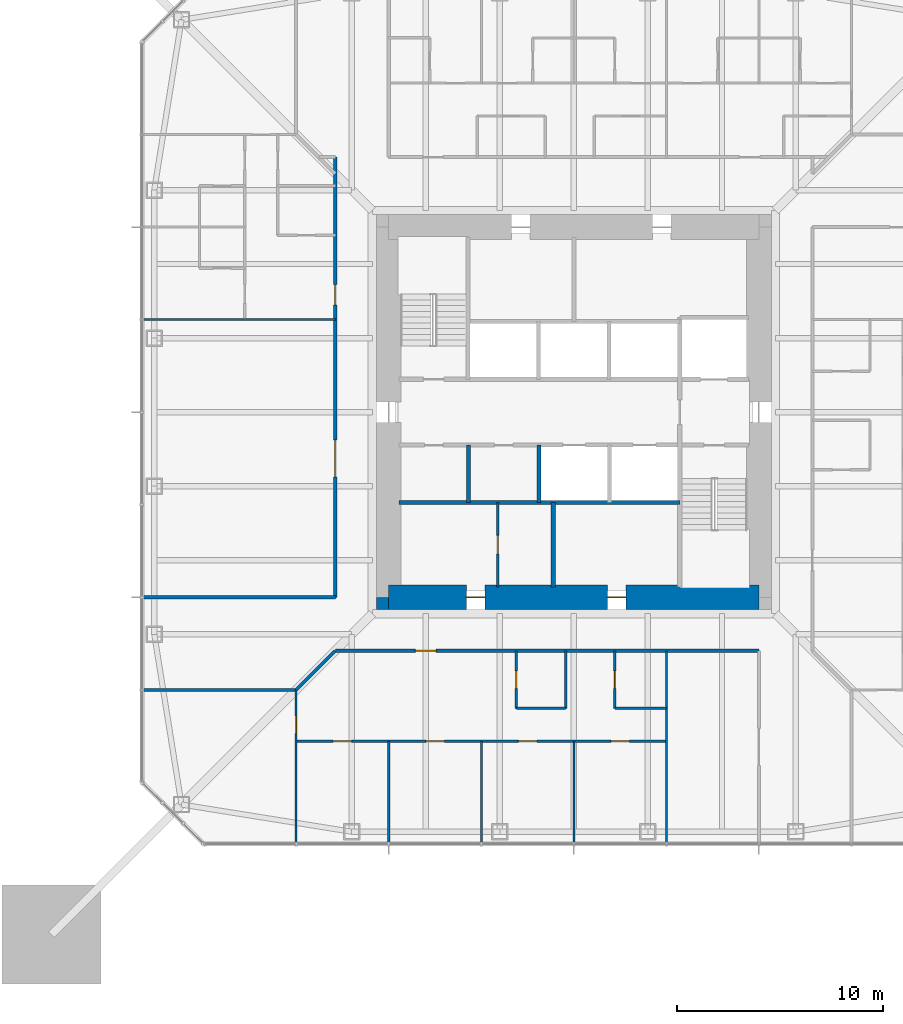
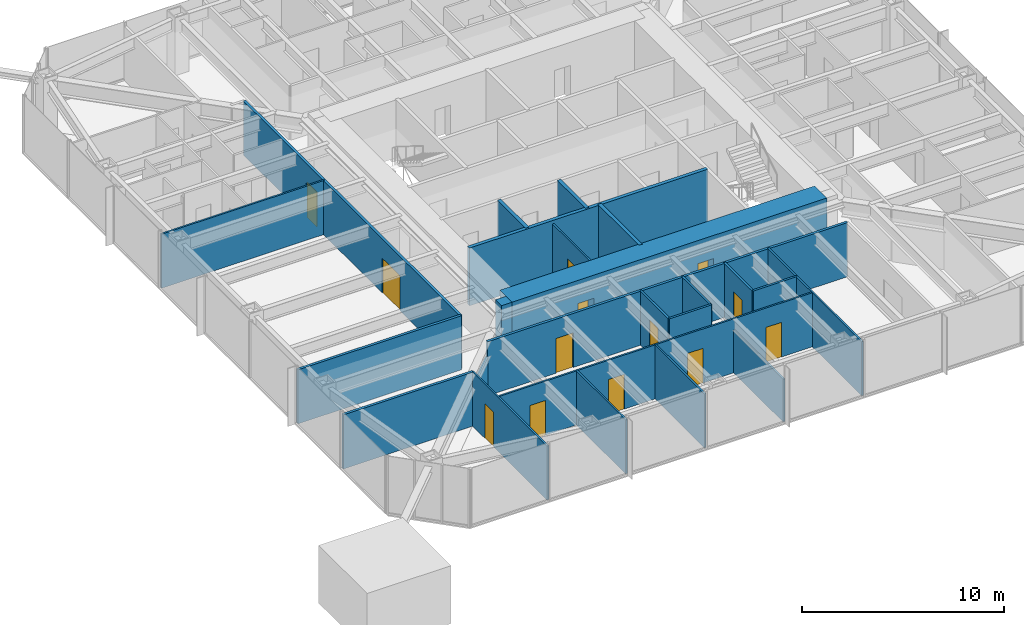
# One storey, part 11 of 23: 24 walls, 13 doors, 13 openings.
"""IFC4 building model written with IfcOpenShell, lengths in metres."""

from ifc_helpers import new_model, si_unit, direction, frame, frame_2d, origin, place, context, subcontext, project, spatial, rectangle, extrude, material, layer, layer_set, type_object, element, fill, save


model = new_model("IFC4")

# Units and contexts
model_context = context("Model", 3, precision=1e-05, world=origin(), true_north=direction((0.0, 1.0)))
body_context = subcontext(model_context, "Body", "Model", "MODEL_VIEW")
ifc_project = project(units=[si_unit("LENGTHUNIT", "METRE"), si_unit("AREAUNIT", "SQUARE_METRE"), si_unit("VOLUMEUNIT", "CUBIC_METRE"), si_unit("PLANEANGLEUNIT", "RADIAN"), si_unit("MASSUNIT", "GRAM", prefix="KILO")], contexts=[model_context])

# Site, building, storey
site_placement = place(None, origin())
site = spatial("IfcSite", under=ifc_project, at=site_placement, CompositionType="ELEMENT")
building_placement = place(site_placement, origin())
building = spatial("IfcBuilding", under=site, at=building_placement, Name="Iwan Alto Co-Living Towers", CompositionType="ELEMENT")
storey_placement = place(building_placement, frame((0.0, 0.0, 122.5)))
storey = spatial("IfcBuildingStorey", under=building, at=storey_placement, Name="L33", CompositionType="ELEMENT", Elevation=122.5)

# Wall
ifc_material_1 = material(Name="Gypsum board")
ifc_layer_1 = layer(ifc_material_1, 0.02490234375, Name="Board", Category="Finish")
ifc_material_2 = material(Name="Steel ASTM A1003 ST33H cold-formed studs", Category="steel")
ifc_layer_2 = layer(ifc_material_2, 0.10009765625, Name="Studs", Category="Framing")
ifc_layer_3 = layer(ifc_material_1, 0.02490234375, Name="Board", Category="Finish")
ifc_layer_set_1 = layer_set([ifc_layer_1, ifc_layer_2, ifc_layer_3], Name="CORRIDOR WALL 150")
wall_type_1 = type_object("IfcWallType", Name="CORRIDOR WALL 150", PredefinedType="PARTITIONING", material=ifc_layer_set_1)
wall_1_placement = place(storey_placement, frame((-20.93994140625, -13.5, 0.0), z_axis=(0.0, 0.0, 1.0), x_axis=(1.0, 0.0, 0.0)))
element("IfcWall", 1, at=wall_1_placement, inside=storey, type_object=wall_type_1, Name="Partition L33", PredefinedType="PARTITIONING", context=body_context, shape_type="SweptSolid", body=[
    extrude(rectangle(XDim=7.43994140625, YDim=0.14990234375, at=frame_2d((3.719970703125, 0.0))), origin(), (0.0, 0.0, 1.0), 3.27001953125),
])

# Wall, opening, door
wall_2_placement = place(storey_placement, frame((-11.60009765625, -11.60009765625, 0.0), z_axis=(0.0, 0.0, 1.0), x_axis=(1.0, 0.0, 0.0)))
wall_2 = element("IfcWall", 2, at=wall_2_placement, inside=storey, type_object=wall_type_1, Name="Partition L33", PredefinedType="PARTITIONING", context=body_context, shape_type="SweptSolid", body=[
    extrude(rectangle(XDim=20.60009765625, YDim=0.14990234375, at=frame_2d((10.300048828125, 0.0))), origin(), (0.0, 0.0, 1.0), 3.27001953125),
])
opening_1_placement = place(wall_2_placement, frame((3.89990234375, 0.0, 0.0)))
opening_1 = element("IfcOpeningElement", 3, at=opening_1_placement, cuts=wall_2, Name="Opening D3", PredefinedType="OPENING", context=body_context, shape_type="SweptSolid", body=[
    extrude(rectangle(XDim=1.0, YDim=2.10009765625, at=frame_2d((0.5, 1.050048828125))), frame((0.0, 0.0849609375, 0.0), z_axis=(0.0, -1.0, 0.0), x_axis=(1.0, 0.0, 0.0)), (0.0, 0.0, 1.0), 0.169921875),
])
ifc_material_3 = material(Name="Steel frame with timber leaf", Category="steel")
door_type_1 = type_object("IfcDoorType", Name="FLAT ENTRANCE DOOR FD30S 1000X2100", OperationType="SINGLE_SWING_LEFT", PredefinedType="DOOR", material=ifc_material_3)
door_1_placement = place(opening_1_placement, frame((1.0, 0.0, 0.0), z_axis=(0.0, 0.0, 1.0), x_axis=(-1.0, 0.0, 0.0)))
door_1 = element("IfcDoor", 4, at=door_1_placement, inside=storey, type_object=door_type_1, Name="Cluster lounge and shared kitchen door L33", OperationType="SINGLE_SWING_LEFT", OverallHeight=2.10009765625, OverallWidth=1.0, PredefinedType="DOOR", context=body_context, shape_type="SweptSolid", body=[
    extrude(rectangle(XDim=1.0, YDim=2.10009765625, at=frame_2d((0.5, 1.050048828125))), frame((0.0, 0.02490234375, 0.0), z_axis=(0.0, -1.0, 0.0), x_axis=(1.0, 0.0, 0.0)), (0.0, 0.0, 1.0), 0.050048828125),
])
fill(opening_1, door_1)

# Walls
wall_3_placement = place(storey_placement, frame((-20.93994140625, -9.0, 0.0), z_axis=(0.0, 0.0, 1.0), x_axis=(1.0, 0.0, 0.0)))
element("IfcWall", 5, at=wall_3_placement, inside=storey, type_object=wall_type_1, Name="Partition L33", PredefinedType="PARTITIONING", context=body_context, shape_type="SweptSolid", body=[
    extrude(rectangle(XDim=9.33984375, YDim=0.14990234375, at=frame_2d((4.669921875, 0.0))), origin(), (0.0, 0.0, 1.0), 3.27001953125),
])
wall_4_placement = place(storey_placement, frame((-13.5, -13.5, 0.0), z_axis=(0.0, 0.0, 1.0), x_axis=(0.707106781187, 0.707106781187, 0.0)))
element("IfcWall", 6, at=wall_4_placement, inside=storey, type_object=wall_type_1, Name="Partition L33", PredefinedType="PARTITIONING", context=body_context, shape_type="SweptSolid", body=[
    extrude(rectangle(XDim=2.686767578125, YDim=0.14990234375, at=frame_2d((1.34326171875, 0.0))), origin(), (0.0, 0.0, 1.0), 2.343017578125),
])

# Wall, openings, doors
wall_5_placement = place(storey_placement, frame((-11.60009765625, -9.0, 0.0), z_axis=(0.0, 0.0, 1.0), x_axis=(0.0, 1.0, 0.0)))
wall_5 = element("IfcWall", 7, at=wall_5_placement, inside=storey, type_object=wall_type_1, Name="Partition L33", PredefinedType="PARTITIONING", context=body_context, shape_type="SweptSolid", body=[
    extrude(rectangle(XDim=21.39990234375, YDim=0.14990234375, at=frame_2d((10.699951171875, 0.0))), origin(), (0.0, 0.0, 1.0), 3.27001953125),
])
opening_2_placement = place(wall_5_placement, frame((14.199951171875, 0.0, 0.0)))
opening_2 = element("IfcOpeningElement", 8, at=opening_2_placement, cuts=wall_5, Name="Opening D3", PredefinedType="OPENING", context=body_context, shape_type="SweptSolid", body=[
    extrude(rectangle(XDim=1.0, YDim=2.10009765625, at=frame_2d((0.5, 1.050048828125))), frame((0.0, 0.0849609375, 0.0), z_axis=(0.0, -1.0, 0.0), x_axis=(1.0, 0.0, 0.0)), (0.0, 0.0, 1.0), 0.169921875),
])
opening_3_placement = place(wall_5_placement, frame((5.85009765625, 0.0, 0.0)))
opening_3 = element("IfcOpeningElement", 9, at=opening_3_placement, cuts=wall_5, Name="Opening D9", PredefinedType="OPENING", context=body_context, shape_type="SweptSolid", body=[
    extrude(rectangle(XDim=1.800048828125, YDim=2.10009765625, at=frame_2d((0.89990234375, 1.050048828125))), frame((0.0, 0.0849609375, 0.0), z_axis=(0.0, -1.0, 0.0), x_axis=(1.0, 0.0, 0.0)), (0.0, 0.0, 1.0), 0.169921875),
])
door_2_placement = place(opening_2_placement, origin())
door_2 = element("IfcDoor", 10, at=door_2_placement, inside=storey, type_object=door_type_1, Name="Cluster lounge door L33", OperationType="SINGLE_SWING_LEFT", OverallHeight=2.10009765625, OverallWidth=1.0, PredefinedType="DOOR", context=body_context, shape_type="SweptSolid", body=[
    extrude(rectangle(XDim=1.0, YDim=2.10009765625, at=frame_2d((0.5, 1.050048828125))), frame((0.0, 0.02490234375, 0.0), z_axis=(0.0, -1.0, 0.0), x_axis=(1.0, 0.0, 0.0)), (0.0, 0.0, 1.0), 0.050048828125),
])
fill(opening_2, door_2)
ifc_material_4 = material(Name="Steel frame with timber leaf", Category="steel")
door_type_2 = type_object("IfcDoorType", Name="LOUNGE DOOR FD30S 1800X2100", OperationType="DOUBLE_DOOR_SINGLE_SWING", PredefinedType="DOOR", material=ifc_material_4)
door_3_placement = place(opening_3_placement, origin())
door_3 = element("IfcDoor", 11, at=door_3_placement, inside=storey, type_object=door_type_2, Name="Study commons door L33", OperationType="DOUBLE_DOOR_SINGLE_SWING", OverallHeight=2.10009765625, OverallWidth=1.800048828125, PredefinedType="DOOR", context=body_context, shape_type="SweptSolid", body=[
    extrude(rectangle(XDim=1.800048828125, YDim=2.10009765625, at=frame_2d((0.89990234375, 1.050048828125))), frame((0.0, 0.02490234375, 0.0), z_axis=(0.0, -1.0, 0.0), x_axis=(1.0, 0.0, 0.0)), (0.0, 0.0, 1.0), 0.050048828125),
])
fill(opening_3, door_3)

ifc_layer_4 = layer(ifc_material_1, 0.012451171875, Name="Board", Category="Finish")
ifc_layer_5 = layer(ifc_material_2, 0.074951171875, Name="Studs", Category="Framing")
ifc_layer_6 = layer(ifc_material_1, 0.012451171875, Name="Board", Category="Finish")
ifc_layer_set_2 = layer_set([ifc_layer_4, ifc_layer_5, ifc_layer_6], Name="PARTITION 100")
wall_type_2 = type_object("IfcWallType", Name="PARTITION 100", PredefinedType="PARTITIONING", material=ifc_layer_set_2)
wall_6_placement = place(storey_placement, frame((-13.5, -16.0, 0.0), z_axis=(0.0, 0.0, 1.0), x_axis=(1.0, 0.0, 0.0)))
wall_6 = element("IfcWall", 12, at=wall_6_placement, inside=storey, type_object=wall_type_2, Name="Partition L33", PredefinedType="PARTITIONING", context=body_context, shape_type="SweptSolid", body=[
    extrude(rectangle(XDim=18.0, YDim=0.10009765625, at=frame_2d((9.0, 0.0))), origin(), (0.0, 0.0, 1.0), 3.27001953125),
])
opening_4_placement = place(wall_6_placement, frame((1.800048828125, 0.0, 0.0)))
opening_4 = element("IfcOpeningElement", 13, at=opening_4_placement, cuts=wall_6, Name="Opening D1", PredefinedType="OPENING", context=body_context, shape_type="SweptSolid", body=[
    extrude(rectangle(XDim=0.89990234375, YDim=2.10009765625, at=frame_2d((0.449951171875, 1.050048828125))), frame((0.0, 0.06005859375, 0.0), z_axis=(0.0, -1.0, 0.0), x_axis=(1.0, 0.0, 0.0)), (0.0, 0.0, 1.0), 0.1201171875),
])
opening_5_placement = place(wall_6_placement, frame((6.300048828125, 0.0, 0.0)))
opening_5 = element("IfcOpeningElement", 14, at=opening_5_placement, cuts=wall_6, Name="Opening D1", PredefinedType="OPENING", context=body_context, shape_type="SweptSolid", body=[
    extrude(rectangle(XDim=0.89990234375, YDim=2.10009765625, at=frame_2d((0.449951171875, 1.050048828125))), frame((0.0, 0.06005859375, 0.0), z_axis=(0.0, -1.0, 0.0), x_axis=(1.0, 0.0, 0.0)), (0.0, 0.0, 1.0), 0.1201171875),
])
opening_6_placement = place(wall_6_placement, frame((10.800048828125, 0.0, 0.0)))
opening_6 = element("IfcOpeningElement", 15, at=opening_6_placement, cuts=wall_6, Name="Opening D1", PredefinedType="OPENING", context=body_context, shape_type="SweptSolid", body=[
    extrude(rectangle(XDim=0.89990234375, YDim=2.10009765625, at=frame_2d((0.449951171875, 1.050048828125))), frame((0.0, 0.06005859375, 0.0), z_axis=(0.0, -1.0, 0.0), x_axis=(1.0, 0.0, 0.0)), (0.0, 0.0, 1.0), 0.1201171875),
])
opening_7_placement = place(wall_6_placement, frame((15.300048828125, 0.0, 0.0)))
opening_7 = element("IfcOpeningElement", 16, at=opening_7_placement, cuts=wall_6, Name="Opening D1", PredefinedType="OPENING", context=body_context, shape_type="SweptSolid", body=[
    extrude(rectangle(XDim=0.89990234375, YDim=2.10009765625, at=frame_2d((0.449951171875, 1.050048828125))), frame((0.0, 0.06005859375, 0.0), z_axis=(0.0, -1.0, 0.0), x_axis=(1.0, 0.0, 0.0)), (0.0, 0.0, 1.0), 0.1201171875),
])
ifc_material_5 = material(Name="Timber leaf in steel frame", Category="steel")
door_type_3 = type_object("IfcDoorType", Name="BEDROOM DOOR 900X2100", OperationType="SINGLE_SWING_LEFT", PredefinedType="DOOR", material=ifc_material_5)
door_4_placement = place(opening_4_placement, origin())
door_4 = element("IfcDoor", 17, at=door_4_placement, inside=storey, type_object=door_type_3, Name="Study bedroom door L33", OperationType="SINGLE_SWING_LEFT", OverallHeight=2.10009765625, OverallWidth=0.89990234375, PredefinedType="DOOR", context=body_context, shape_type="SweptSolid", body=[
    extrude(rectangle(XDim=0.89990234375, YDim=2.10009765625, at=frame_2d((0.449951171875, 1.050048828125))), frame((0.0, 0.02490234375, 0.0), z_axis=(0.0, -1.0, 0.0), x_axis=(1.0, 0.0, 0.0)), (0.0, 0.0, 1.0), 0.050048828125),
])
fill(opening_4, door_4)
door_5_placement = place(opening_5_placement, origin())
door_5 = element("IfcDoor", 18, at=door_5_placement, inside=storey, type_object=door_type_3, Name="Study bedroom door L33", OperationType="SINGLE_SWING_LEFT", OverallHeight=2.10009765625, OverallWidth=0.89990234375, PredefinedType="DOOR", context=body_context, shape_type="SweptSolid", body=[
    extrude(rectangle(XDim=0.89990234375, YDim=2.10009765625, at=frame_2d((0.449951171875, 1.050048828125))), frame((0.0, 0.02490234375, 0.0), z_axis=(0.0, -1.0, 0.0), x_axis=(1.0, 0.0, 0.0)), (0.0, 0.0, 1.0), 0.050048828125),
])
fill(opening_5, door_5)
door_6_placement = place(opening_6_placement, origin())
door_6 = element("IfcDoor", 19, at=door_6_placement, inside=storey, type_object=door_type_3, Name="Study bedroom door L33", OperationType="SINGLE_SWING_RIGHT", OverallHeight=2.10009765625, OverallWidth=0.89990234375, PredefinedType="DOOR", context=body_context, shape_type="SweptSolid", body=[
    extrude(rectangle(XDim=0.89990234375, YDim=2.10009765625, at=frame_2d((0.449951171875, 1.050048828125))), frame((0.0, 0.02490234375, 0.0), z_axis=(0.0, -1.0, 0.0), x_axis=(1.0, 0.0, 0.0)), (0.0, 0.0, 1.0), 0.050048828125),
])
fill(opening_6, door_6)
door_7_placement = place(opening_7_placement, origin())
door_7 = element("IfcDoor", 20, at=door_7_placement, inside=storey, type_object=door_type_3, Name="Study bedroom door L33", OperationType="SINGLE_SWING_RIGHT", OverallHeight=2.10009765625, OverallWidth=0.89990234375, PredefinedType="DOOR", context=body_context, shape_type="SweptSolid", body=[
    extrude(rectangle(XDim=0.89990234375, YDim=2.10009765625, at=frame_2d((0.449951171875, 1.050048828125))), frame((0.0, 0.02490234375, 0.0), z_axis=(0.0, -1.0, 0.0), x_axis=(1.0, 0.0, 0.0)), (0.0, 0.0, 1.0), 0.050048828125),
])
fill(opening_7, door_7)

# Walls
for number, where, z_axis, x_axis, name in (
    (21, (-20.93994140625, 4.5, 0.0), (0.0, 0.0, 1.0), (1.0, 0.0, 0.0), "Partition L33"),
    (22, (4.5, -20.93994140625, 0.0), (0.0, 0.0, 1.0), (0.0, 1.0, 0.0), "Partition L33"),
):
    element("IfcWall", number, at=place(storey_placement, frame(where, z_axis=z_axis, x_axis=x_axis)), inside=storey, type_object=wall_type_2, Name=name, PredefinedType="PARTITIONING", context=body_context, shape_type="SweptSolid", body=[
        extrude(rectangle(XDim=9.33984375, YDim=0.10009765625, at=frame_2d((4.669921875, 0.0))), origin(), (0.0, 0.0, 1.0), 3.27001953125),
    ])
wall_7_placement = place(storey_placement, frame((0.0, -20.93994140625, 0.0), z_axis=(0.0, 0.0, 1.0), x_axis=(0.0, 1.0, 0.0)))
element("IfcWall", 23, at=wall_7_placement, inside=storey, type_object=wall_type_2, Name="Partition L33", PredefinedType="PARTITIONING", context=body_context, shape_type="SweptSolid", body=[
    extrude(rectangle(XDim=4.93994140625, YDim=0.10009765625, at=frame_2d((2.469970703125, 0.0))), origin(), (0.0, 0.0, 1.0), 2.586669921875),
])

# Wall, opening, door
wall_8_placement = place(storey_placement, frame((-3.699951171875, -8.489990234375, 0.0), z_axis=(0.0, 0.0, 1.0), x_axis=(0.0, 1.0, 0.0)))
wall_8 = element("IfcWall", 24, at=wall_8_placement, inside=storey, type_object=wall_type_2, Name="Partition L33", PredefinedType="PARTITIONING", context=body_context, shape_type="SweptSolid", body=[
    extrude(rectangle(XDim=4.090087890625, YDim=0.10009765625, at=frame_2d((2.044921875, 0.0))), origin(), (0.0, 0.0, 1.0), 3.300048828125),
])
opening_8_placement = place(wall_8_placement, frame((1.594970703125, 0.0, 0.0)))
opening_8 = element("IfcOpeningElement", 25, at=opening_8_placement, cuts=wall_8, Name="Opening D16", PredefinedType="OPENING", context=body_context, shape_type="SweptSolid", body=[
    extrude(rectangle(XDim=0.89990234375, YDim=2.10009765625, at=frame_2d((0.449951171875, 1.050048828125))), frame((0.0, 0.06005859375, 0.0), z_axis=(0.0, -1.0, 0.0), x_axis=(1.0, 0.0, 0.0)), (0.0, 0.0, 1.0), 0.1201171875),
])
ifc_material_6 = material(Name="Timber leaf in steel frame", Category="steel")
door_type_4 = type_object("IfcDoorType", Name="CUPBOARD SLIDING DOOR 900X2100", OperationType="SLIDING_TO_LEFT", PredefinedType="DOOR", material=ifc_material_6)
door_8_placement = place(opening_8_placement, origin())
door_8 = element("IfcDoor", 26, at=door_8_placement, inside=storey, type_object=door_type_4, Name="Bin store door L33", OperationType="SLIDING_TO_LEFT", OverallHeight=2.10009765625, OverallWidth=0.89990234375, PredefinedType="DOOR", context=body_context, shape_type="SweptSolid", body=[
    extrude(rectangle(XDim=0.89990234375, YDim=2.10009765625, at=frame_2d((0.449951171875, 1.050048828125))), frame((0.0, 0.02490234375, 0.0), z_axis=(0.0, -1.0, 0.0), x_axis=(1.0, 0.0, 0.0)), (0.0, 0.0, 1.0), 0.050048828125),
])
fill(opening_8, door_8)

# Walls
for number, where, z_axis, x_axis, name in (
    (27, (-4.5, -20.93994140625, 0.0), (0.0, 0.0, 1.0), (0.0, 1.0, 0.0), "Partition L33"),
    (28, (-9.0, -20.93994140625, 0.0), (0.0, 0.0, 1.0), (0.0, 1.0, 0.0), "Partition L33"),
):
    element("IfcWall", number, at=place(storey_placement, frame(where, z_axis=z_axis, x_axis=x_axis)), inside=storey, type_object=wall_type_2, Name=name, PredefinedType="PARTITIONING", context=body_context, shape_type="SweptSolid", body=[
        extrude(rectangle(XDim=4.93994140625, YDim=0.10009765625, at=frame_2d((2.469970703125, 0.0))), origin(), (0.0, 0.0, 1.0), 3.27001953125),
    ])

# Wall, opening, door
wall_9_placement = place(storey_placement, frame((-13.5, -20.93994140625, 0.0), z_axis=(0.0, 0.0, 1.0), x_axis=(0.0, 1.0, 0.0)))
wall_9 = element("IfcWall", 29, at=wall_9_placement, inside=storey, type_object=wall_type_2, Name="Partition L33", PredefinedType="PARTITIONING", context=body_context, shape_type="SweptSolid", body=[
    extrude(rectangle(XDim=7.43994140625, YDim=0.10009765625, at=frame_2d((3.719970703125, 0.0))), origin(), (0.0, 0.0, 1.0), 3.27001953125),
])
opening_9_placement = place(wall_9_placement, frame((5.31494140625, 0.0, 0.0)))
opening_9 = element("IfcOpeningElement", 30, at=opening_9_placement, cuts=wall_9, Name="Opening D2", PredefinedType="OPENING", context=body_context, shape_type="SweptSolid", body=[
    extrude(rectangle(XDim=0.85009765625, YDim=2.10009765625, at=frame_2d((0.425048828125, 1.050048828125))), frame((0.0, 0.06005859375, 0.0), z_axis=(0.0, -1.0, 0.0), x_axis=(1.0, 0.0, 0.0)), (0.0, 0.0, 1.0), 0.1201171875),
])
ifc_material_7 = material(Name="Timber leaf in steel frame", Category="steel")
door_type_5 = type_object("IfcDoorType", Name="ROOM DOOR 850X2100", OperationType="SINGLE_SWING_LEFT", PredefinedType="DOOR", material=ifc_material_7)
door_9_placement = place(opening_9_placement, frame((0.85009765625, 0.0, 0.0), z_axis=(0.0, 0.0, 1.0), x_axis=(-1.0, 0.0, 0.0)))
door_9 = element("IfcDoor", 31, at=door_9_placement, inside=storey, type_object=door_type_5, Name="Study lounge door L33", OperationType="SINGLE_SWING_RIGHT", OverallHeight=2.10009765625, OverallWidth=0.85009765625, PredefinedType="DOOR", context=body_context, shape_type="SweptSolid", body=[
    extrude(rectangle(XDim=0.85009765625, YDim=2.10009765625, at=frame_2d((0.425048828125, 1.050048828125))), frame((0.0, 0.02490234375, 0.0), z_axis=(0.0, -1.0, 0.0), x_axis=(1.0, 0.0, 0.0)), (0.0, 0.0, 1.0), 0.050048828125),
])
fill(opening_9, door_9)

# Walls
ifc_material_8 = material(Name="Concrete f'c 70 MPa", Category="concrete")
ifc_layer_7 = layer(ifc_material_8, 0.199951171875)
ifc_layer_set_3 = layer_set([ifc_layer_7], Name="SHAFT WALL 200")
wall_type_3 = type_object("IfcWallType", Name="SHAFT WALL 200", PredefinedType="SOLIDWALL", material=ifc_layer_set_3)
wall_10_placement = place(storey_placement, frame((-8.489990234375, -4.39990234375, 0.0), z_axis=(0.0, 0.0, 1.0), x_axis=(1.0, 0.0, 0.0)))
element("IfcWall", 32, at=wall_10_placement, inside=storey, type_object=wall_type_3, Name="Shaft wall L33", PredefinedType="SOLIDWALL", context=body_context, shape_type="SweptSolid", body=[
    extrude(rectangle(XDim=13.639892578125, YDim=0.199951171875, at=frame_2d((6.81982421875, 0.0))), origin(), (0.0, 0.0, 1.0), 3.5),
])
wall_11_placement = place(storey_placement, frame((-1.0, -8.489990234375, 0.0), z_axis=(0.0, 0.0, 1.0), x_axis=(0.0, 1.0, 0.0)))
element("IfcWall", 33, at=wall_11_placement, inside=storey, type_object=wall_type_3, Name="Shaft wall L33", PredefinedType="SOLIDWALL", context=body_context, shape_type="SweptSolid", body=[
    extrude(rectangle(XDim=4.090087890625, YDim=0.199951171875, at=frame_2d((2.044921875, 0.0))), origin(), (0.0, 0.0, 1.0), 3.5),
])
for number, where, z_axis, x_axis, name in (
    (34, (-1.699951171875, -4.39990234375, 0.0), (0.0, 0.0, 1.0), (0.0, 1.0, 0.0), "Shaft wall L33"),
    (35, (-5.125, -4.39990234375, 0.0), (0.0, 0.0, 1.0), (0.0, 1.0, 0.0), "Shaft wall L33"),
):
    element("IfcWall", number, at=place(storey_placement, frame(where, z_axis=z_axis, x_axis=x_axis)), inside=storey, type_object=wall_type_3, Name=name, PredefinedType="SOLIDWALL", context=body_context, shape_type="SweptSolid", body=[
        extrude(rectangle(XDim=2.7998046875, YDim=0.199951171875, at=frame_2d((1.39990234375, 0.0))), origin(), (0.0, 0.0, 1.0), 3.5),
    ])
ifc_material_9 = material(Name="Concrete f'c 70 MPa", Category="concrete")
ifc_layer_8 = layer(ifc_material_9, 0.60009765625)
ifc_layer_set_4 = layer_set([ifc_layer_8], Name="T1 CORE CORNER FILL 600")
wall_type_4 = type_object("IfcWallType", Name="T1 CORE CORNER FILL 600", PredefinedType="SOLIDWALL", material=ifc_layer_set_4)
wall_12_placement = place(storey_placement, frame((-9.60009765625, -9.300048828125, 0.0), z_axis=(0.0, 0.0, 1.0), x_axis=(1.0, 0.0, 0.0)))
element("IfcWall", 36, at=wall_12_placement, inside=storey, type_object=wall_type_4, Name="T1 core corner SW L33", PredefinedType="SOLIDWALL", context=body_context, shape_type="SweptSolid", body=[
    extrude(rectangle(XDim=0.60009765625, YDim=0.60009765625, at=frame_2d((0.300048828125, 0.0))), origin(), (0.0, 0.0, 1.0), 3.5),
])

# Wall, openings, doors
ifc_material_10 = material(Name="Concrete f'c 70 MPa", Category="concrete")
ifc_layer_9 = layer(ifc_material_10, 1.199951171875)
ifc_layer_set_5 = layer_set([ifc_layer_9], Name="T1 CORE WALL 1200")
wall_type_5 = type_object("IfcWallType", Name="T1 CORE WALL 1200", PredefinedType="SHEAR", material=ifc_layer_set_5)
wall_13_placement = place(storey_placement, frame((-9.0, -9.0, 0.0), z_axis=(0.0, 0.0, 1.0), x_axis=(1.0, 0.0, 0.0)))
wall_13 = element("IfcWall", 37, at=wall_13_placement, inside=storey, type_object=wall_type_5, Name="T1 core wall S L33", PredefinedType="SHEAR", context=body_context, shape_type="SweptSolid", body=[
    extrude(rectangle(XDim=18.0, YDim=1.199951171875, at=frame_2d((9.0, 0.0))), origin(), (0.0, 0.0, 1.0), 3.5),
])
opening_10_placement = place(wall_13_placement, frame((3.77490234375, 0.0, 0.0)))
opening_10 = element("IfcOpeningElement", 38, at=opening_10_placement, cuts=wall_13, Name="Opening D8", PredefinedType="OPENING", context=body_context, shape_type="SweptSolid", body=[
    extrude(rectangle(XDim=0.89990234375, YDim=2.10009765625, at=frame_2d((0.449951171875, 1.050048828125))), frame((0.0, 0.60986328125, 0.0), z_axis=(0.0, -1.0, 0.0), x_axis=(1.0, 0.0, 0.0)), (0.0, 0.0, 1.0), 1.219970703125),
])
opening_11_placement = place(wall_13_placement, frame((10.625, 0.0, 0.0)))
opening_11 = element("IfcOpeningElement", 39, at=opening_11_placement, cuts=wall_13, Name="Opening D8", PredefinedType="OPENING", context=body_context, shape_type="SweptSolid", body=[
    extrude(rectangle(XDim=0.89990234375, YDim=2.10009765625, at=frame_2d((0.449951171875, 1.050048828125))), frame((0.0, 0.60986328125, 0.0), z_axis=(0.0, -1.0, 0.0), x_axis=(1.0, 0.0, 0.0)), (0.0, 0.0, 1.0), 1.219970703125),
])
ifc_material_11 = material(Name="Steel frame with timber leaf", Category="steel")
door_type_6 = type_object("IfcDoorType", Name="RISER DOOR FD120 900X2100", OperationType="SINGLE_SWING_LEFT", PredefinedType="DOOR", material=ifc_material_11)
door_10_placement = place(opening_10_placement, origin())
door_10 = element("IfcDoor", 40, at=door_10_placement, inside=storey, type_object=door_type_6, Name="Refuse room core door L33", OperationType="SINGLE_SWING_RIGHT", OverallHeight=2.10009765625, OverallWidth=0.89990234375, PredefinedType="DOOR", context=body_context, shape_type="SweptSolid", body=[
    extrude(rectangle(XDim=0.89990234375, YDim=2.10009765625, at=frame_2d((0.449951171875, 1.050048828125))), frame((0.0, 0.02490234375, 0.0), z_axis=(0.0, -1.0, 0.0), x_axis=(1.0, 0.0, 0.0)), (0.0, 0.0, 1.0), 0.050048828125),
])
fill(opening_10, door_10)
door_11_placement = place(opening_11_placement, origin())
door_11 = element("IfcDoor", 41, at=door_11_placement, inside=storey, type_object=door_type_6, Name="Telecom riser core door L33", OperationType="SINGLE_SWING_LEFT", OverallHeight=2.10009765625, OverallWidth=0.89990234375, PredefinedType="DOOR", context=body_context, shape_type="SweptSolid", body=[
    extrude(rectangle(XDim=0.89990234375, YDim=2.10009765625, at=frame_2d((0.449951171875, 1.050048828125))), frame((0.0, 0.02490234375, 0.0), z_axis=(0.0, -1.0, 0.0), x_axis=(1.0, 0.0, 0.0)), (0.0, 0.0, 1.0), 0.050048828125),
])
fill(opening_11, door_11)

# Walls
ifc_material_12 = material(Name="Cement board")
ifc_layer_10 = layer(ifc_material_12, 0.012451171875, Name="Board", Category="Finish")
ifc_layer_11 = layer(ifc_material_2, 0.094970703125, Name="Studs", Category="Framing")
ifc_layer_12 = layer(ifc_material_12, 0.012451171875, Name="Board", Category="Finish")
ifc_layer_set_6 = layer_set([ifc_layer_10, ifc_layer_11, ifc_layer_12], Name="WET AREA PARTITION 120")
wall_type_6 = type_object("IfcWallType", Name="WET AREA PARTITION 120", PredefinedType="PARTITIONING", material=ifc_layer_set_6)
wall_14_placement = place(storey_placement, frame((-2.800048828125, -14.39990234375, 0.0), z_axis=(0.0, 0.0, 1.0), x_axis=(1.0, 0.0, 0.0)))
element("IfcWall", 42, at=wall_14_placement, inside=storey, type_object=wall_type_6, Name="Partition L33", PredefinedType="PARTITIONING", context=body_context, shape_type="SweptSolid", body=[
    extrude(rectangle(XDim=2.400146484375, YDim=0.1201171875, at=frame_2d((1.2001953125, 0.0))), origin(), (0.0, 0.0, 1.0), 3.27001953125),
])
wall_15_placement = place(storey_placement, frame((2.0, -14.39990234375, 0.0), z_axis=(0.0, 0.0, 1.0), x_axis=(1.0, 0.0, 0.0)))
element("IfcWall", 43, at=wall_15_placement, inside=storey, type_object=wall_type_6, Name="Partition L33", PredefinedType="PARTITIONING", context=body_context, shape_type="SweptSolid", body=[
    extrude(rectangle(XDim=2.5, YDim=0.1201171875, at=frame_2d((1.25, 0.0))), origin(), (0.0, 0.0, 1.0), 3.27001953125),
])

# Wall, opening, door
wall_16_placement = place(storey_placement, frame((2.0, -14.39990234375, 0.0), z_axis=(0.0, 0.0, 1.0), x_axis=(0.0, 1.0, 0.0)))
wall_16 = element("IfcWall", 44, at=wall_16_placement, inside=storey, type_object=wall_type_6, Name="Partition L33", PredefinedType="PARTITIONING", context=body_context, shape_type="SweptSolid", body=[
    extrude(rectangle(XDim=2.7998046875, YDim=0.1201171875, at=frame_2d((1.39990234375, 0.0))), origin(), (0.0, 0.0, 1.0), 3.27001953125),
])
opening_12_placement = place(wall_16_placement, frame((0.97509765625, 0.0, 0.0)))
opening_12 = element("IfcOpeningElement", 45, at=opening_12_placement, cuts=wall_16, Name="Opening D2", PredefinedType="OPENING", context=body_context, shape_type="SweptSolid", body=[
    extrude(rectangle(XDim=0.85009765625, YDim=2.10009765625, at=frame_2d((0.425048828125, 1.050048828125))), frame((0.0, 0.070068359375, 0.0), z_axis=(0.0, -1.0, 0.0), x_axis=(1.0, 0.0, 0.0)), (0.0, 0.0, 1.0), 0.14013671875),
])
door_12_placement = place(opening_12_placement, origin())
door_12 = element("IfcDoor", 46, at=door_12_placement, inside=storey, type_object=door_type_5, Name="Laundry door L33", OperationType="SINGLE_SWING_RIGHT", OverallHeight=2.10009765625, OverallWidth=0.85009765625, PredefinedType="DOOR", context=body_context, shape_type="SweptSolid", body=[
    extrude(rectangle(XDim=0.85009765625, YDim=2.10009765625, at=frame_2d((0.425048828125, 1.050048828125))), frame((0.0, 0.02490234375, 0.0), z_axis=(0.0, -1.0, 0.0), x_axis=(1.0, 0.0, 0.0)), (0.0, 0.0, 1.0), 0.050048828125),
])
fill(opening_12, door_12)

# Wall
wall_17_placement = place(storey_placement, frame((-0.39990234375, -14.39990234375, 0.0), z_axis=(0.0, 0.0, 1.0), x_axis=(0.0, 1.0, 0.0)))
element("IfcWall", 47, at=wall_17_placement, inside=storey, type_object=wall_type_6, Name="Partition L33", PredefinedType="PARTITIONING", context=body_context, shape_type="SweptSolid", body=[
    extrude(rectangle(XDim=2.7998046875, YDim=0.1201171875, at=frame_2d((1.39990234375, 0.0))), origin(), (0.0, 0.0, 1.0), 3.27001953125),
])

# Wall, opening, door
wall_18_placement = place(storey_placement, frame((-2.800048828125, -14.39990234375, 0.0), z_axis=(0.0, 0.0, 1.0), x_axis=(0.0, 1.0, 0.0)))
wall_18 = element("IfcWall", 48, at=wall_18_placement, inside=storey, type_object=wall_type_6, Name="Partition L33", PredefinedType="PARTITIONING", context=body_context, shape_type="SweptSolid", body=[
    extrude(rectangle(XDim=2.7998046875, YDim=0.1201171875, at=frame_2d((1.39990234375, 0.0))), origin(), (0.0, 0.0, 1.0), 3.27001953125),
])
opening_13_placement = place(wall_18_placement, frame((0.97509765625, 0.0, 0.0)))
opening_13 = element("IfcOpeningElement", 49, at=opening_13_placement, cuts=wall_18, Name="Opening D2", PredefinedType="OPENING", context=body_context, shape_type="SweptSolid", body=[
    extrude(rectangle(XDim=0.85009765625, YDim=2.10009765625, at=frame_2d((0.425048828125, 1.050048828125))), frame((0.0, 0.070068359375, 0.0), z_axis=(0.0, -1.0, 0.0), x_axis=(1.0, 0.0, 0.0)), (0.0, 0.0, 1.0), 0.14013671875),
])
door_13_placement = place(opening_13_placement, origin())
door_13 = element("IfcDoor", 50, at=door_13_placement, inside=storey, type_object=door_type_5, Name="Accessible bathroom door L33", OperationType="SINGLE_SWING_RIGHT", OverallHeight=2.10009765625, OverallWidth=0.85009765625, PredefinedType="DOOR", context=body_context, shape_type="SweptSolid", body=[
    extrude(rectangle(XDim=0.85009765625, YDim=2.10009765625, at=frame_2d((0.425048828125, 1.050048828125))), frame((0.0, 0.02490234375, 0.0), z_axis=(0.0, -1.0, 0.0), x_axis=(1.0, 0.0, 0.0)), (0.0, 0.0, 1.0), 0.050048828125),
])
fill(opening_13, door_13)

save(model, "model.ifc")
